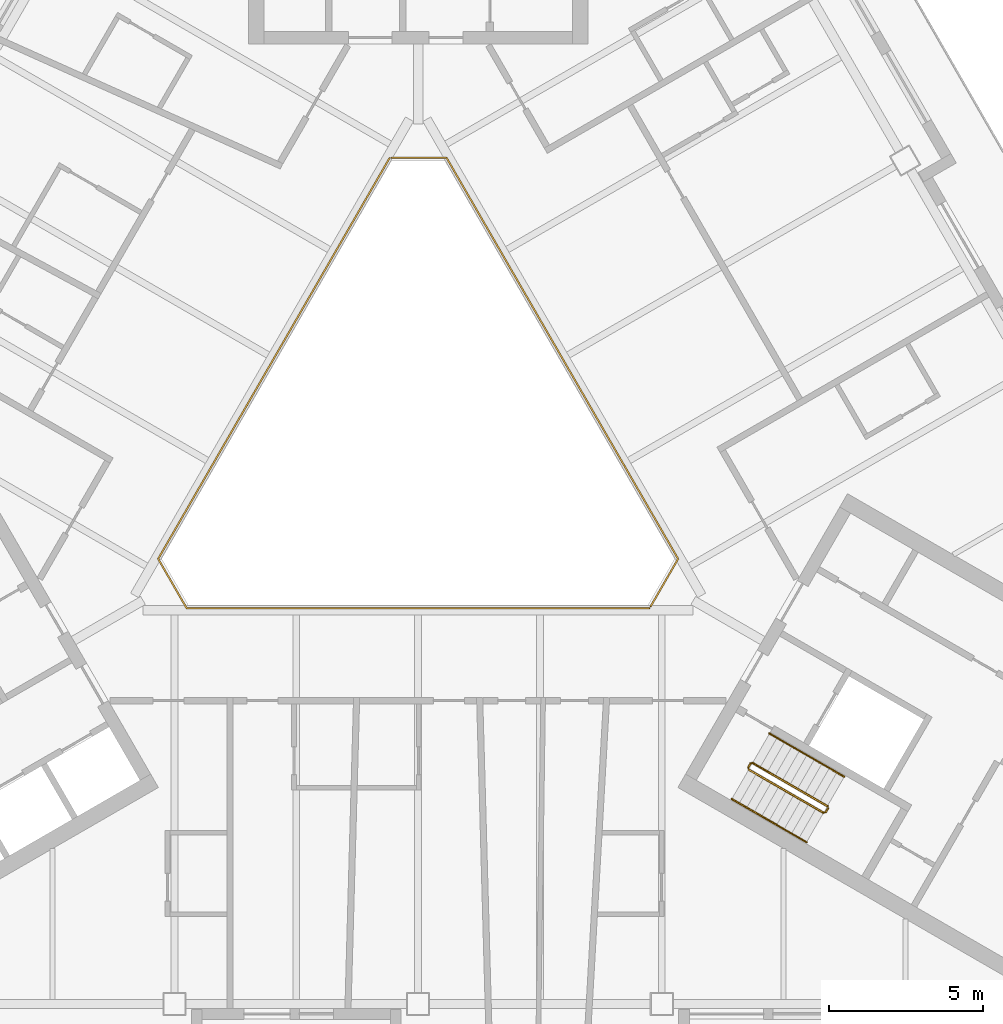
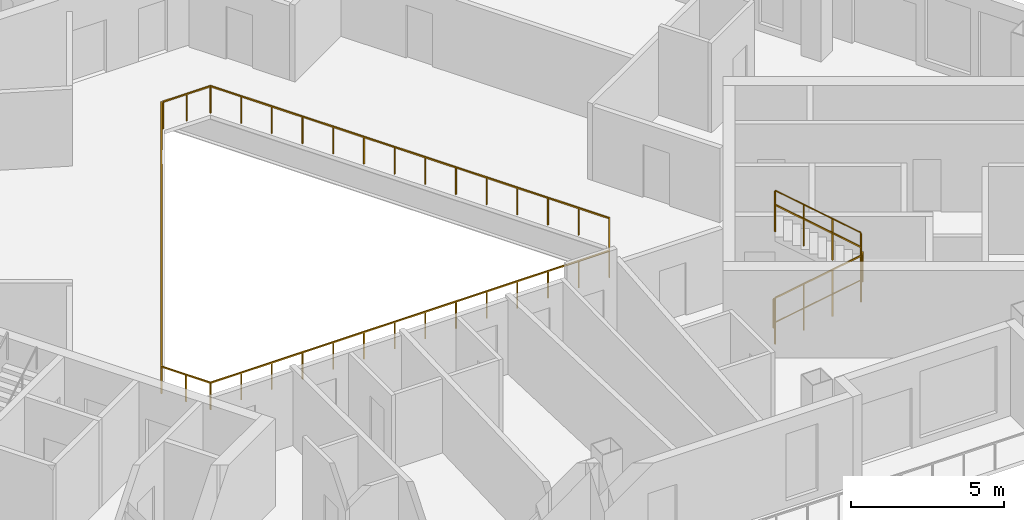
# One storey, part 12 of 14: 8 railings.
"""IFC4 building model written with IfcOpenShell, lengths in metres."""

from ifc_helpers import new_model, si_unit, direction, frame, origin, origin_2d, place, context, subcontext, project, spatial, rectangle, circle, extrude, material, type_object, element, save


model = new_model("IFC4")

# Units and contexts
model_context = context("Model", 3, precision=1e-05, world=origin(), true_north=direction((0.0, 1.0)))
body_context = subcontext(model_context, "Body", "Model", "MODEL_VIEW")
ifc_project = project(units=[si_unit("LENGTHUNIT", "METRE"), si_unit("AREAUNIT", "SQUARE_METRE"), si_unit("VOLUMEUNIT", "CUBIC_METRE"), si_unit("PLANEANGLEUNIT", "RADIAN"), si_unit("MASSUNIT", "GRAM", prefix="KILO")], contexts=[model_context])

# Site, building, storey
site_placement = place(None, origin())
site = spatial("IfcSite", under=ifc_project, at=site_placement, CompositionType="ELEMENT")
building_placement = place(site_placement, origin())
building = spatial("IfcBuilding", under=site, at=building_placement, Name="Apuvela Tower Hotel", CompositionType="ELEMENT")
storey_placement = place(building_placement, frame((0.0, 0.0, 216.89990234375)))
storey = spatial("IfcBuildingStorey", under=building, at=storey_placement, Name="L53", CompositionType="ELEMENT", Elevation=216.89990234375)

# Railings
ifc_material_1 = material(Name="Steel S275 balustrade", Category="steel")
railing_type_1 = type_object("IfcRailingType", Name="COR-GUARD-1100", PredefinedType="GUARDRAIL", material=ifc_material_1)
railing_1_placement = place(storey_placement, frame((10.718994140625, -10.63427734375, 0.168212890625)))
element("IfcRailing", 1, at=railing_1_placement, inside=storey, type_object=railing_type_1, Name="L53 ST3 stair guard 1", PredefinedType="GUARDRAIL", context=body_context, shape_type="SweptSolid", body=[
    extrude(rectangle(XDim=0.048095703125, YDim=0.048095703125, at=origin_2d()), frame((0.0, 0.0, 1.076171875), z_axis=(0.742390482028, -0.42860119049, 0.514934356695), x_axis=(0.49998411664, 0.866034573852, 0.0)), (0.0, 0.0, 1.0), 3.26611328125),
    extrude(rectangle(XDim=0.0419921875, YDim=0.0419921875, at=origin_2d()), origin(), (0.0, 0.0, 1.0), 1.052001953125),
    extrude(rectangle(XDim=0.0419921875, YDim=0.0419921875, at=origin_2d()), frame((0.808349609375, -0.466552734375, 0.560546875)), (0.0, 0.0, 1.0), 1.052001953125),
    extrude(rectangle(XDim=0.0419921875, YDim=0.0419921875, at=origin_2d()), frame((1.616455078125, -0.933349609375, 1.121337890625)), (0.0, 0.0, 1.0), 1.052001953125),
    extrude(rectangle(XDim=0.0419921875, YDim=0.0419921875, at=origin_2d()), frame((2.4248046875, -1.39990234375, 1.681884765625)), (0.0, 0.0, 1.0), 1.052001953125),
])
railing_2_placement = place(storey_placement, frame((13.212158203125, -12.015869140625, 1.85009765625)))
element("IfcRailing", 2, at=railing_2_placement, inside=storey, type_object=railing_type_1, Name="L53 ST3 stair guard 2", PredefinedType="GUARDRAIL", context=body_context, shape_type="SweptSolid", body=[
    extrude(rectangle(XDim=0.048095703125, YDim=0.048095703125, at=origin_2d()), frame((0.0, 0.0, 1.076171875), z_axis=(0.499816412211, 0.866131372301, 0.0), x_axis=(-0.866131372301, 0.499816412211, 0.0)), (0.0, 0.0, 1.0), 0.14990234375),
    extrude(rectangle(XDim=0.0419921875, YDim=0.0419921875, at=origin_2d()), origin(), (0.0, 0.0, 1.0), 1.052001953125),
    extrude(rectangle(XDim=0.0419921875, YDim=0.0419921875, at=origin_2d()), frame((0.074951171875, 0.1298828125, 0.0)), (0.0, 0.0, 1.0), 1.052001953125),
])
railing_3_placement = place(storey_placement, frame((13.268798828125, -11.817626953125, 2.018310546875)))
element("IfcRailing", 3, at=railing_3_placement, inside=storey, type_object=railing_type_1, Name="L53 ST3 stair guard 3", PredefinedType="GUARDRAIL", context=body_context, shape_type="SweptSolid", body=[
    extrude(rectangle(XDim=0.048095703125, YDim=0.048095703125, at=origin_2d()), frame((0.0, 0.0, 1.076171875), z_axis=(-0.742390482028, 0.42860119049, 0.514934356695), x_axis=(-0.49998411664, -0.866034573852, 0.0)), (0.0, 0.0, 1.0), 3.26611328125),
    extrude(rectangle(XDim=0.0419921875, YDim=0.0419921875, at=origin_2d()), origin(), (0.0, 0.0, 1.0), 1.052001953125),
    extrude(rectangle(XDim=0.0419921875, YDim=0.0419921875, at=origin_2d()), frame((-0.808349609375, 0.466552734375, 0.560546875)), (0.0, 0.0, 1.0), 1.052001953125),
    extrude(rectangle(XDim=0.0419921875, YDim=0.0419921875, at=origin_2d()), frame((-1.616455078125, 0.933349609375, 1.121337890625)), (0.0, 0.0, 1.0), 1.052001953125),
    extrude(rectangle(XDim=0.0419921875, YDim=0.0419921875, at=origin_2d()), frame((-2.4248046875, 1.39990234375, 1.681884765625)), (0.0, 0.0, 1.0), 1.052001953125),
])
railing_4_placement = place(storey_placement, frame((10.70068359375, -10.56591796875, 0.0)))
element("IfcRailing", 4, at=railing_4_placement, inside=storey, type_object=railing_type_1, Name="L53 ST3 stair guard 4", PredefinedType="GUARDRAIL", context=body_context, shape_type="SweptSolid", body=[
    extrude(rectangle(XDim=0.048095703125, YDim=0.048095703125, at=origin_2d()), frame((0.0, 0.0, 1.076171875), z_axis=(0.499816412211, 0.866131372301, 0.0), x_axis=(-0.866131372301, 0.499816412211, 0.0)), (0.0, 0.0, 1.0), 0.14990234375),
    extrude(rectangle(XDim=0.0419921875, YDim=0.0419921875, at=origin_2d()), origin(), (0.0, 0.0, 1.0), 1.052001953125),
    extrude(rectangle(XDim=0.0419921875, YDim=0.0419921875, at=origin_2d()), frame((0.074951171875, 0.1298828125, 0.0)), (0.0, 0.0, 1.0), 1.052001953125),
])
ifc_material_2 = material(Name="Stainless steel 316 handrail", Category="steel")
railing_type_2 = type_object("IfcRailingType", Name="COR-HANDRAIL-900", PredefinedType="HANDRAIL", material=ifc_material_2)
railing_5_placement = place(storey_placement, frame((10.1689453125, -11.5869140625, 0.168212890625)))
element("IfcRailing", 5, at=railing_5_placement, inside=storey, type_object=railing_type_2, Name="L53 ST3 stair handrail 1", PredefinedType="HANDRAIL", context=body_context, shape_type="SweptSolid", body=[
    extrude(circle(Radius=0.02392578125, at=origin_2d()), frame((0.0, 0.0, 0.8759765625), z_axis=(0.742390482028, -0.42860119049, 0.514934356695), x_axis=(0.49998411664, 0.866034573852, 0.0)), (0.0, 0.0, 1.0), 3.26611328125),
    extrude(rectangle(XDim=0.0419921875, YDim=0.0419921875, at=origin_2d()), origin(), (0.0, 0.0, 1.0), 0.851806640625),
    extrude(rectangle(XDim=0.0419921875, YDim=0.0419921875, at=origin_2d()), frame((0.808349609375, -0.466552734375, 0.560546875)), (0.0, 0.0, 1.0), 0.851806640625),
    extrude(rectangle(XDim=0.0419921875, YDim=0.0419921875, at=origin_2d()), frame((1.616455078125, -0.933349609375, 1.121337890625)), (0.0, 0.0, 1.0), 0.851806640625),
    extrude(rectangle(XDim=0.0419921875, YDim=0.0419921875, at=origin_2d()), frame((2.4248046875, -1.39990234375, 1.681884765625)), (0.0, 0.0, 1.0), 0.851806640625),
])
railing_6_placement = place(storey_placement, frame((13.81884765625, -10.864990234375, 2.018310546875)))
element("IfcRailing", 6, at=railing_6_placement, inside=storey, type_object=railing_type_2, Name="L53 ST3 stair handrail 2", PredefinedType="HANDRAIL", context=body_context, shape_type="SweptSolid", body=[
    extrude(circle(Radius=0.02392578125, at=origin_2d()), frame((0.0, 0.0, 0.8759765625), z_axis=(-0.742390482028, 0.42860119049, 0.514934356695), x_axis=(-0.49998411664, -0.866034573852, 0.0)), (0.0, 0.0, 1.0), 3.26611328125),
    extrude(rectangle(XDim=0.0419921875, YDim=0.0419921875, at=origin_2d()), origin(), (0.0, 0.0, 1.0), 0.851806640625),
    extrude(rectangle(XDim=0.0419921875, YDim=0.0419921875, at=origin_2d()), frame((-0.808349609375, 0.466552734375, 0.560546875)), (0.0, 0.0, 1.0), 0.851806640625),
    extrude(rectangle(XDim=0.0419921875, YDim=0.0419921875, at=origin_2d()), frame((-1.616455078125, 0.933349609375, 1.121337890625)), (0.0, 0.0, 1.0), 0.851806640625),
    extrude(rectangle(XDim=0.0419921875, YDim=0.0419921875, at=origin_2d()), frame((-2.4248046875, 1.39990234375, 1.681884765625)), (0.0, 0.0, 1.0), 0.851806640625),
])
ifc_material_3 = material(Name="Stainless steel 316 rail with laminated glass infill", Category="steel")
railing_type_3 = type_object("IfcRailingType", Name="ENV-GUARD-1100", PredefinedType="GUARDRAIL", material=ifc_material_3)
railing_7_placement = place(storey_placement, frame((-0.923828125, 9.199951171875, 0.0)))
element("IfcRailing", 7, at=railing_7_placement, inside=storey, type_object=railing_type_3, Name="Atrium void guard A L53", PredefinedType="GUARDRAIL", context=body_context, shape_type="SweptSolid", body=[
    extrude(rectangle(XDim=0.050048828125, YDim=0.050048828125, at=origin_2d()), frame((0.0, 0.0, 1.0751953125), z_axis=(-0.499990886379, -0.866030665472, 0.0), x_axis=(0.866030665472, -0.499990886379, 0.0)), (0.0, 0.0, 1.0), 15.010986328125),
    extrude(rectangle(XDim=0.050048828125, YDim=0.050048828125, at=origin_2d()), frame((-7.50537109375, -13.0, 1.0751953125), z_axis=(0.499962699187, -0.866046938348, 0.0), x_axis=(0.866046938348, 0.499962699187, 0.0)), (0.0, 0.0, 1.0), 1.847412109375),
    extrude(rectangle(XDim=0.050048828125, YDim=0.050048828125, at=origin_2d()), frame((-6.581787109375, -14.599853515625, 1.0751953125), z_axis=(1.0, 0.0, 0.0), x_axis=(0.0, 1.0, 0.0)), (0.0, 0.0, 1.0), 15.01123046875),
    extrude(rectangle(XDim=0.0400390625, YDim=0.0400390625, at=origin_2d()), origin(), (0.0, 0.0, 1.0), 1.050048828125),
    extrude(rectangle(XDim=0.0400390625, YDim=0.0400390625, at=origin_2d()), frame((-0.577392578125, -1.0, 0.0)), (0.0, 0.0, 1.0), 1.050048828125),
    extrude(rectangle(XDim=0.0400390625, YDim=0.0400390625, at=origin_2d()), frame((-1.15478515625, -2.0, 0.0)), (0.0, 0.0, 1.0), 1.050048828125),
    extrude(rectangle(XDim=0.0400390625, YDim=0.0400390625, at=origin_2d()), frame((-1.73193359375, -3.0, 0.0)), (0.0, 0.0, 1.0), 1.050048828125),
    extrude(rectangle(XDim=0.0400390625, YDim=0.0400390625, at=origin_2d()), frame((-2.309326171875, -4.0, 0.0)), (0.0, 0.0, 1.0), 1.050048828125),
    extrude(rectangle(XDim=0.0400390625, YDim=0.0400390625, at=origin_2d()), frame((-2.88671875, -5.0, 0.0)), (0.0, 0.0, 1.0), 1.050048828125),
    extrude(rectangle(XDim=0.0400390625, YDim=0.0400390625, at=origin_2d()), frame((-3.464111328125, -6.0, 0.0)), (0.0, 0.0, 1.0), 1.050048828125),
    extrude(rectangle(XDim=0.0400390625, YDim=0.0400390625, at=origin_2d()), frame((-4.041259765625, -7.0, 0.0)), (0.0, 0.0, 1.0), 1.050048828125),
    extrude(rectangle(XDim=0.0400390625, YDim=0.0400390625, at=origin_2d()), frame((-4.61865234375, -8.0, 0.0)), (0.0, 0.0, 1.0), 1.050048828125),
    extrude(rectangle(XDim=0.0400390625, YDim=0.0400390625, at=origin_2d()), frame((-5.196044921875, -9.0, 0.0)), (0.0, 0.0, 1.0), 1.050048828125),
    extrude(rectangle(XDim=0.0400390625, YDim=0.0400390625, at=origin_2d()), frame((-5.7734375, -10.0, 0.0)), (0.0, 0.0, 1.0), 1.050048828125),
    extrude(rectangle(XDim=0.0400390625, YDim=0.0400390625, at=origin_2d()), frame((-6.3505859375, -11.0, 0.0)), (0.0, 0.0, 1.0), 1.050048828125),
    extrude(rectangle(XDim=0.0400390625, YDim=0.0400390625, at=origin_2d()), frame((-6.927978515625, -12.0, 0.0)), (0.0, 0.0, 1.0), 1.050048828125),
    extrude(rectangle(XDim=0.0400390625, YDim=0.0400390625, at=origin_2d()), frame((-7.50537109375, -13.0, 0.0)), (0.0, 0.0, 1.0), 1.050048828125),
    extrude(rectangle(XDim=0.0400390625, YDim=0.0400390625, at=origin_2d()), frame((-7.04345703125, -13.7998046875, 0.0)), (0.0, 0.0, 1.0), 1.050048828125),
    extrude(rectangle(XDim=0.0400390625, YDim=0.0400390625, at=origin_2d()), frame((-6.581787109375, -14.599853515625, 0.0)), (0.0, 0.0, 1.0), 1.050048828125),
    extrude(rectangle(XDim=0.0400390625, YDim=0.0400390625, at=origin_2d()), frame((-5.427001953125, -14.599853515625, 0.0)), (0.0, 0.0, 1.0), 1.050048828125),
    extrude(rectangle(XDim=0.0400390625, YDim=0.0400390625, at=origin_2d()), frame((-4.2724609375, -14.599853515625, 0.0)), (0.0, 0.0, 1.0), 1.050048828125),
    extrude(rectangle(XDim=0.0400390625, YDim=0.0400390625, at=origin_2d()), frame((-3.11767578125, -14.599853515625, 0.0)), (0.0, 0.0, 1.0), 1.050048828125),
    extrude(rectangle(XDim=0.0400390625, YDim=0.0400390625, at=origin_2d()), frame((-1.962890625, -14.599853515625, 0.0)), (0.0, 0.0, 1.0), 1.050048828125),
    extrude(rectangle(XDim=0.0400390625, YDim=0.0400390625, at=origin_2d()), frame((-0.808349609375, -14.599853515625, 0.0)), (0.0, 0.0, 1.0), 1.050048828125),
    extrude(rectangle(XDim=0.0400390625, YDim=0.0400390625, at=origin_2d()), frame((0.346435546875, -14.599853515625, 0.0)), (0.0, 0.0, 1.0), 1.050048828125),
    extrude(rectangle(XDim=0.0400390625, YDim=0.0400390625, at=origin_2d()), frame((1.501220703125, -14.599853515625, 0.0)), (0.0, 0.0, 1.0), 1.050048828125),
    extrude(rectangle(XDim=0.0400390625, YDim=0.0400390625, at=origin_2d()), frame((2.656005859375, -14.599853515625, 0.0)), (0.0, 0.0, 1.0), 1.050048828125),
    extrude(rectangle(XDim=0.0400390625, YDim=0.0400390625, at=origin_2d()), frame((3.810546875, -14.599853515625, 0.0)), (0.0, 0.0, 1.0), 1.050048828125),
    extrude(rectangle(XDim=0.0400390625, YDim=0.0400390625, at=origin_2d()), frame((4.96533203125, -14.599853515625, 0.0)), (0.0, 0.0, 1.0), 1.050048828125),
    extrude(rectangle(XDim=0.0400390625, YDim=0.0400390625, at=origin_2d()), frame((6.1201171875, -14.599853515625, 0.0)), (0.0, 0.0, 1.0), 1.050048828125),
    extrude(rectangle(XDim=0.0400390625, YDim=0.0400390625, at=origin_2d()), frame((7.274658203125, -14.599853515625, 0.0)), (0.0, 0.0, 1.0), 1.050048828125),
    extrude(rectangle(XDim=0.0400390625, YDim=0.0400390625, at=origin_2d()), frame((8.429443359375, -14.599853515625, 0.0)), (0.0, 0.0, 1.0), 1.050048828125),
])
railing_8_placement = place(storey_placement, frame((7.53564453125, -5.347900390625, 0.0)))
element("IfcRailing", 8, at=railing_8_placement, inside=storey, type_object=railing_type_3, Name="Atrium void guard B L53", PredefinedType="GUARDRAIL", context=body_context, shape_type="SweptSolid", body=[
    extrude(rectangle(XDim=0.050048828125, YDim=0.050048828125, at=origin_2d()), frame((0.0, 0.0, 1.0751953125), z_axis=(0.499958946799, 0.866049104564, 0.0), x_axis=(-0.866049104564, 0.499958946799, 0.0)), (0.0, 0.0, 1.0), 1.787353515625),
    extrude(rectangle(XDim=0.050048828125, YDim=0.050048828125, at=origin_2d()), frame((0.8935546875, 1.5478515625, 1.0751953125), z_axis=(-0.499990886379, 0.866030665472, 0.0), x_axis=(-0.866030665472, -0.499990886379, 0.0)), (0.0, 0.0, 1.0), 15.010986328125),
    extrude(rectangle(XDim=0.050048828125, YDim=0.050048828125, at=origin_2d()), frame((-6.61181640625, 14.5478515625, 1.0751953125), z_axis=(-1.0, 0.0, 0.0), x_axis=(0.0, -1.0, 0.0)), (0.0, 0.0, 1.0), 1.78759765625),
    extrude(rectangle(XDim=0.0400390625, YDim=0.0400390625, at=origin_2d()), origin(), (0.0, 0.0, 1.0), 1.050048828125),
    extrude(rectangle(XDim=0.0400390625, YDim=0.0400390625, at=origin_2d()), frame((0.44677734375, 0.77392578125, 0.0)), (0.0, 0.0, 1.0), 1.050048828125),
    extrude(rectangle(XDim=0.0400390625, YDim=0.0400390625, at=origin_2d()), frame((0.8935546875, 1.5478515625, 0.0)), (0.0, 0.0, 1.0), 1.050048828125),
    extrude(rectangle(XDim=0.0400390625, YDim=0.0400390625, at=origin_2d()), frame((0.316162109375, 2.5478515625, 0.0)), (0.0, 0.0, 1.0), 1.050048828125),
    extrude(rectangle(XDim=0.0400390625, YDim=0.0400390625, at=origin_2d()), frame((-0.26123046875, 3.5478515625, 0.0)), (0.0, 0.0, 1.0), 1.050048828125),
    extrude(rectangle(XDim=0.0400390625, YDim=0.0400390625, at=origin_2d()), frame((-0.83837890625, 4.5478515625, 0.0)), (0.0, 0.0, 1.0), 1.050048828125),
    extrude(rectangle(XDim=0.0400390625, YDim=0.0400390625, at=origin_2d()), frame((-1.415771484375, 5.5478515625, 0.0)), (0.0, 0.0, 1.0), 1.050048828125),
    extrude(rectangle(XDim=0.0400390625, YDim=0.0400390625, at=origin_2d()), frame((-1.9931640625, 6.5478515625, 0.0)), (0.0, 0.0, 1.0), 1.050048828125),
    extrude(rectangle(XDim=0.0400390625, YDim=0.0400390625, at=origin_2d()), frame((-2.570556640625, 7.5478515625, 0.0)), (0.0, 0.0, 1.0), 1.050048828125),
    extrude(rectangle(XDim=0.0400390625, YDim=0.0400390625, at=origin_2d()), frame((-3.147705078125, 8.5478515625, 0.0)), (0.0, 0.0, 1.0), 1.050048828125),
    extrude(rectangle(XDim=0.0400390625, YDim=0.0400390625, at=origin_2d()), frame((-3.72509765625, 9.5478515625, 0.0)), (0.0, 0.0, 1.0), 1.050048828125),
    extrude(rectangle(XDim=0.0400390625, YDim=0.0400390625, at=origin_2d()), frame((-4.302490234375, 10.5478515625, 0.0)), (0.0, 0.0, 1.0), 1.050048828125),
    extrude(rectangle(XDim=0.0400390625, YDim=0.0400390625, at=origin_2d()), frame((-4.8798828125, 11.5478515625, 0.0)), (0.0, 0.0, 1.0), 1.050048828125),
    extrude(rectangle(XDim=0.0400390625, YDim=0.0400390625, at=origin_2d()), frame((-5.45703125, 12.5478515625, 0.0)), (0.0, 0.0, 1.0), 1.050048828125),
    extrude(rectangle(XDim=0.0400390625, YDim=0.0400390625, at=origin_2d()), frame((-6.034423828125, 13.5478515625, 0.0)), (0.0, 0.0, 1.0), 1.050048828125),
    extrude(rectangle(XDim=0.0400390625, YDim=0.0400390625, at=origin_2d()), frame((-6.61181640625, 14.5478515625, 0.0)), (0.0, 0.0, 1.0), 1.050048828125),
    extrude(rectangle(XDim=0.0400390625, YDim=0.0400390625, at=origin_2d()), frame((-7.505615234375, 14.5478515625, 0.0)), (0.0, 0.0, 1.0), 1.050048828125),
    extrude(rectangle(XDim=0.0400390625, YDim=0.0400390625, at=origin_2d()), frame((-8.3994140625, 14.5478515625, 0.0)), (0.0, 0.0, 1.0), 1.050048828125),
])

save(model, "model.ifc")
